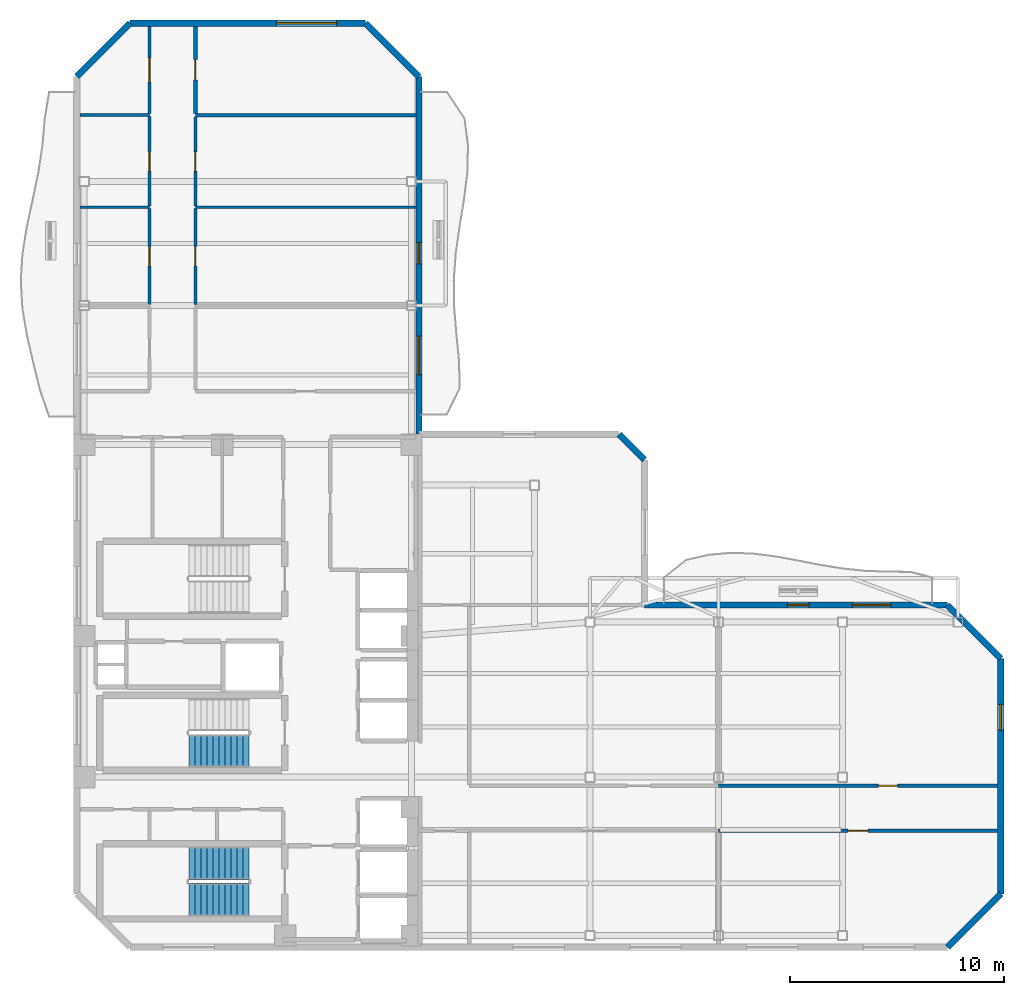
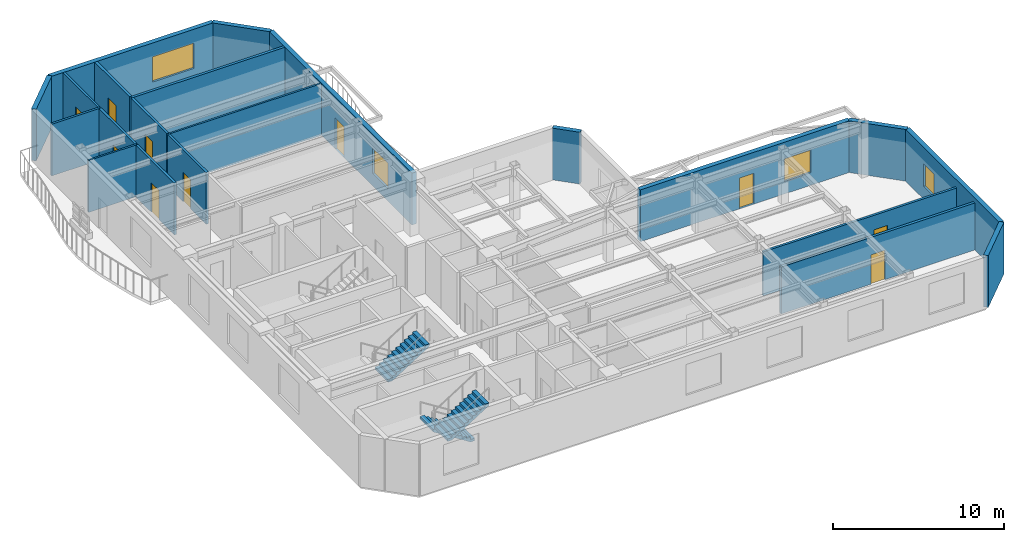
# One storey, part 5 of 8: 21 walls, 10 doors, 4 windows, 3 stair flights, 14 openings, 2 elements without a shape of their own.
"""IFC4 building model written with IfcOpenShell, lengths in metres."""

import ifcopenshell
import ifcopenshell.guid

model = None  # the IFC model being written
_history = None  # IfcOwnerHistory: only IFC2X3 demands one
_inside = {}  # id of a spatial element -> (the spatial element, [elements in it])
_under = {}  # id of a project, library or spatial element -> (it, [spatial elements below it])
_declared = {}  # id of a project -> (the project, [libraries it declares])
_typed = {}  # id of a type object -> (the type object, [elements of that type])
_made_of = {}  # id of a material, layer set ... -> (it, [elements and type objects made of it])


def new_model(schema):
    """Start an empty IFC model of exactly this schema.

    Asked for "IFC4X3", IfcOpenShell would pick the latest addendum, in which some entities
    have other attributes; the version numbers below select the first issue.
    IFC2X3 requires an IfcOwnerHistory on every rooted entity: one is made here for all.
    """
    global model, _history
    if schema == "IFC4X3":
        model = ifcopenshell.file(schema_version=(4, 3, 0, 0))
    else:
        model = ifcopenshell.file(schema=schema)
    _inside.clear()
    _under.clear()
    _declared.clear()
    _typed.clear()
    _made_of.clear()
    _history = None
    if model.schema == "IFC2X3":
        org = make("IfcOrganization", Name="unknown")
        user = make(
            "IfcPersonAndOrganization",
            ThePerson=make("IfcPerson", FamilyName="unknown"),
            TheOrganization=org,
        )
        app = make(
            "IfcApplication",
            ApplicationDeveloper=org,
            Version="unknown",
            ApplicationFullName="unknown",
            ApplicationIdentifier="unknown",
        )
        _history = make(
            "IfcOwnerHistory",
            OwningUser=user,
            OwningApplication=app,
            ChangeAction="ADDED",
            CreationDate=0,
        )
    return model


def make(cls, **values):
    """One entity of the class cls with the attributes given. An attribute that is None is left unset."""
    return model.create_entity(
        cls, **{name: value for name, value in values.items() if value is not None}
    )


def rooted(cls, **values):
    """An entity with a GlobalId (a new one), such as an element, a storey or a relation."""
    return make(cls, GlobalId=ifcopenshell.guid.new(), OwnerHistory=_history, **values)


def si_unit(unit_type, name, prefix=None):
    """IfcSIUnit, for example si_unit("LENGTHUNIT", "METRE", prefix="MILLI")."""
    return make("IfcSIUnit", UnitType=unit_type, Prefix=prefix, Name=name)


def assignment(units):
    """IfcUnitAssignment: the units of a project."""
    return None if units is None else make("IfcUnitAssignment", Units=units)


def point(xyz):
    """IfcCartesianPoint."""
    return None if xyz is None else make("IfcCartesianPoint", Coordinates=xyz)


def direction(xyz):
    """IfcDirection."""
    return None if xyz is None else make("IfcDirection", DirectionRatios=xyz)


def frame(location, z_axis=None, x_axis=None):
    """IfcAxis2Placement3D, a coordinate frame: its origin and axes. An axis left out is left unset."""
    return make(
        "IfcAxis2Placement3D",
        Location=point(location),
        Axis=direction(z_axis),
        RefDirection=direction(x_axis),
    )


def frame_2d(location, x_axis=None):
    """IfcAxis2Placement2D, a coordinate frame in the plane: its origin and x axis."""
    return make(
        "IfcAxis2Placement2D", Location=point(location), RefDirection=direction(x_axis)
    )


def origin():
    """The frame at (0, 0, 0) with its axes left unset."""
    return frame((0.0, 0.0, 0.0))


def place(relative_to, where):
    """IfcLocalPlacement: puts the frame where relative to a parent placement (None: the world)."""
    return make(
        "IfcLocalPlacement", PlacementRelTo=relative_to, RelativePlacement=where
    )


def context(
    kind, dimensions, precision=None, world=None, true_north=None, identifier=None
):
    """IfcGeometricRepresentationContext, for example the 3D "Model" context."""
    return make(
        "IfcGeometricRepresentationContext",
        ContextIdentifier=identifier,
        ContextType=kind,
        CoordinateSpaceDimension=dimensions,
        Precision=precision,
        WorldCoordinateSystem=world,
        TrueNorth=true_north,
    )


def subcontext(parent, identifier, kind, view, scale=None):
    """IfcGeometricRepresentationSubContext, for example "Body" below "Model"."""
    return make(
        "IfcGeometricRepresentationSubContext",
        ContextIdentifier=identifier,
        ContextType=kind,
        ParentContext=parent,
        TargetScale=scale,
        TargetView=view,
    )


def project(units=None, contexts=None):
    """IfcProject with its units and contexts."""
    return rooted(
        "IfcProject",
        Name="project",
        RepresentationContexts=contexts,
        UnitsInContext=assignment(units),
    )


def spatial(cls, under=None, at=None, **own):
    """A site, building, storey or space (cls), placed at a placement, below another one or the project."""
    s = rooted(cls, ObjectPlacement=at, **own)
    if under is not None:
        _under.setdefault(under.id(), (under, []))[1].append(s)
    return s


def polyline(points):
    """IfcPolyline through the points."""
    return make("IfcPolyline", Points=[point(p) for p in points])


def profile(cls, at=None, kind="AREA", **sizes):
    """A parametric profile (cls). Its sizes go by their IFC names, for example OverallWidth=200.0."""
    return make(cls, ProfileType=kind, Position=at, **sizes)


def rectangle(**sizes):
    """IfcRectangleProfileDef."""
    return profile("IfcRectangleProfileDef", **sizes)


def outline(outer, holes=None, kind="AREA"):
    """IfcArbitraryClosedProfileDef: a profile drawn as a closed curve; with holes, ...WithVoids."""
    if holes is None:
        return make("IfcArbitraryClosedProfileDef", ProfileType=kind, OuterCurve=outer)
    return make(
        "IfcArbitraryProfileDefWithVoids",
        ProfileType=kind,
        OuterCurve=outer,
        InnerCurves=holes,
    )


def extrude(swept, where, along, depth):
    """IfcExtrudedAreaSolid: the profile swept, set in the frame where, extruded along a direction by depth."""
    return make(
        "IfcExtrudedAreaSolid",
        SweptArea=swept,
        Position=where,
        ExtrudedDirection=direction(along),
        Depth=depth,
    )


def shape(context_of_items, identifier, shape_type, items):
    """IfcShapeRepresentation: the items that make up one representation, for example the "Body"."""
    return make(
        "IfcShapeRepresentation",
        ContextOfItems=context_of_items,
        RepresentationIdentifier=identifier,
        RepresentationType=shape_type,
        Items=items,
    )


def material(Name=None, Category=None):
    """IfcMaterial."""
    return make("IfcMaterial", Name=Name, Category=Category)


def layer(
    of_material, thickness, ventilated=None, Name=None, Category=None, Priority=None
):
    """IfcMaterialLayer: one layer of a wall or slab, of a material (None: an air gap)."""
    return make(
        "IfcMaterialLayer",
        Material=of_material,
        LayerThickness=thickness,
        IsVentilated=ventilated,
        Name=Name,
        Category=Category,
        Priority=Priority,
    )


def layer_set(layers, Name=None):
    """IfcMaterialLayerSet."""
    return make("IfcMaterialLayerSet", MaterialLayers=layers, LayerSetName=Name)


def made_of(thing, what):
    """Note that an element or type object is made of a material, layer set ...; save() writes the relation."""
    if what is not None:
        _made_of.setdefault(what.id(), (what, []))[1].append(thing)
    return thing


def type_object(cls, material=None, **own):
    """A type object (cls), such as IfcWallType, which elements share."""
    return made_of(rooted(cls, **own), material)


def element(
    cls,
    number,
    at=None,
    inside=None,
    cuts=None,
    type_object=None,
    material=None,
    context=None,
    identifier="Body",
    shape_type=None,
    held_by="IfcProductDefinitionShape",
    body=None,
    shapes=None,
    **own,
):
    """One element of the class cls, such as IfcWall. Its Tag is "e" and its number.

    at: its placement. inside: the storey or other place that contains it. cuts: it is an
    opening in that element (IfcRelVoidsElement). A single representation is given by context,
    identifier, shape_type and body (its items); several are given by shapes. held_by: the class
    of the entity that holds the representations. save() writes the other relations.
    """
    e = rooted(cls, Tag="e%d" % number, ObjectPlacement=at, **own)
    if body is not None:
        shapes = [shape(context, identifier, shape_type, body)]
    if shapes is not None:
        e.Representation = make(held_by, Representations=shapes)
    if inside is not None:
        _inside.setdefault(inside.id(), (inside, []))[1].append(e)
    if cuts is not None:
        rooted(
            "IfcRelVoidsElement", RelatingBuildingElement=cuts, RelatedOpeningElement=e
        )
    if type_object is not None:
        _typed.setdefault(type_object.id(), (type_object, []))[1].append(e)
    return made_of(e, material)


def fill(opening, filler):
    """IfcRelFillsElement: the door or window that sits in an opening."""
    return rooted(
        "IfcRelFillsElement",
        RelatingOpeningElement=opening,
        RelatedBuildingElement=filler,
    )


def aggregate(whole, parts):
    """IfcRelAggregates: a whole, such as a stair, and the parts it consists of."""
    return rooted("IfcRelAggregates", RelatingObject=whole, RelatedObjects=parts)


def save(model, path):
    """Write the relations noted so far, then the file.

    IfcRelAggregates (storeys below a building ...), IfcRelContainedInSpatialStructure (elements
    in a storey), IfcRelDefinesByType, IfcRelAssociatesMaterial and IfcRelDeclares: one each for
    every whole, place, type object, material and project.
    """
    for whole, parts in _under.values():
        aggregate(whole, parts)
    for where, things in _inside.values():
        rooted(
            "IfcRelContainedInSpatialStructure",
            RelatedElements=things,
            RelatingStructure=where,
        )
    for kind, things in _typed.values():
        rooted("IfcRelDefinesByType", RelatedObjects=things, RelatingType=kind)
    for what, things in _made_of.values():
        rooted("IfcRelAssociatesMaterial", RelatedObjects=things, RelatingMaterial=what)
    for by, libraries in _declared.values():
        rooted("IfcRelDeclares", RelatingContext=by, RelatedDefinitions=libraries)
    model.write(path)


model = new_model("IFC4")

# Units and contexts
model_context = context("Model", 3, precision=1e-05, world=origin(), true_north=direction((0.0, 1.0)))
body_context = subcontext(model_context, "Body", "Model", "MODEL_VIEW")
ifc_project = project(units=[si_unit("LENGTHUNIT", "METRE"), si_unit("AREAUNIT", "SQUARE_METRE"), si_unit("VOLUMEUNIT", "CUBIC_METRE"), si_unit("PLANEANGLEUNIT", "RADIAN"), si_unit("MASSUNIT", "GRAM", prefix="KILO")], contexts=[model_context])

# Site, building, storey
site_placement = place(None, origin())
site = spatial("IfcSite", under=ifc_project, at=site_placement, CompositionType="ELEMENT")
building_placement = place(site_placement, origin())
building = spatial("IfcBuilding", under=site, at=building_placement, Name="Mawjaban Terraces University", CompositionType="ELEMENT")
storey_placement = place(building_placement, frame((0.0, 0.0, 191.39990234375)))
storey = spatial("IfcBuildingStorey", under=building, at=storey_placement, Name="L46", CompositionType="ELEMENT", Elevation=191.39990234375)

# Wall
ifc_material_1 = material(Name="Acoustic masonry blockwork", Category="masonry")
ifc_layer_1 = layer(ifc_material_1, 0.179931640625)
ifc_layer_set_1 = layer_set([ifc_layer_1], Name="Acoustic masonry blockwork")
wall_type_1 = type_object("IfcWallType", Name="AcousticStudioWall_180", PredefinedType="PARTITIONING", material=ifc_layer_set_1)
wall_1_placement = place(storey_placement, frame((37.85009765625, 38.89990234375, 0.0), z_axis=(0.0, 0.0, 1.0), x_axis=(-1.0, 0.0, 0.0)))
element("IfcWall", 1, at=wall_1_placement, inside=storey, type_object=wall_type_1, Name="L46 Student Tea Pantry 11 Partition 20", PredefinedType="PARTITIONING", context=body_context, shape_type="SweptSolid", body=[
    extrude(rectangle(XDim=10.300048828125, YDim=0.179931640625, at=frame_2d((5.14990234375, 0.0))), origin(), (0.0, 0.0, 1.0), 3.690185546875),
])

# Wall, opening, door
wall_2_placement = place(storey_placement, frame((52.0, 5.449951171875, 0.0), z_axis=(0.0, 0.0, 1.0), x_axis=(1.0, 0.0, 0.0)))
wall_2 = element("IfcWall", 2, at=wall_2_placement, inside=storey, type_object=wall_type_1, Name="L46 South Shifted Academic Corridor Partition 25", PredefinedType="PARTITIONING", context=body_context, shape_type="SweptSolid", body=[
    extrude(rectangle(XDim=13.054931640625, YDim=0.179931640625, at=frame_2d((6.52734375, 0.0))), origin(), (0.0, 0.0, 1.0), 3.343017578125),
])
opening_1_placement = place(wall_2_placement, frame((6.052978515625, 0.0, 0.0)))
opening_1 = element("IfcOpeningElement", 3, at=opening_1_placement, cuts=wall_2, Name="Opening ID-095", PredefinedType="OPENING", context=body_context, shape_type="SweptSolid", body=[
    extrude(rectangle(XDim=0.949951171875, YDim=2.10009765625, at=frame_2d((0.47509765625, 1.050048828125))), frame((0.0, 0.099853515625, 0.0), z_axis=(0.0, -1.0, 0.0), x_axis=(1.0, 0.0, 0.0)), (0.0, 0.0, 1.0), 0.199951171875),
])
ifc_material_2 = material(Name="Powder-coated steel frame and solid acoustic timber leaf", Category="steel")
door_type_1 = type_object("IfcDoorType", Name="StudioDoor_950x2100", OperationType="NOTDEFINED", PredefinedType="DOOR", material=ifc_material_2)
door_1_placement = place(opening_1_placement, origin())
door_1 = element("IfcDoor", 4, at=door_1_placement, inside=storey, type_object=door_type_1, Name="L46 Design Studio 4 Door", OperationType="SINGLE_SWING_LEFT", OverallHeight=2.10009765625, OverallWidth=0.949951171875, PredefinedType="DOOR", context=body_context, shape_type="SweptSolid", body=[
    extrude(rectangle(XDim=0.949951171875, YDim=2.10009765625, at=frame_2d((0.47509765625, 1.050048828125))), frame((0.0, 0.02490234375, 0.0), z_axis=(0.0, -1.0, 0.0), x_axis=(1.0, 0.0, 0.0)), (0.0, 0.0, 1.0), 0.050048828125),
])
fill(opening_1, door_1)

wall_3_placement = place(storey_placement, frame((27.550048828125, 38.985107421875, 0.0), z_axis=(0.0, 0.0, 1.0), x_axis=(0.0, 1.0, 0.0)))
wall_3 = element("IfcWall", 5, at=wall_3_placement, inside=storey, type_object=wall_type_1, Name="L46 West Shifted Academic Corridor Partition 38", PredefinedType="PARTITIONING", context=body_context, shape_type="SweptSolid", body=[
    extrude(rectangle(XDim=4.06982421875, YDim=0.179931640625, at=frame_2d((2.034912109375, 0.0))), origin(), (0.0, 0.0, 1.0), 3.690185546875),
])
opening_2_placement = place(wall_3_placement, frame((1.56005859375, 0.0, 0.0)))
opening_2 = element("IfcOpeningElement", 6, at=opening_2_placement, cuts=wall_3, Name="Opening ID-095", PredefinedType="OPENING", context=body_context, shape_type="SweptSolid", body=[
    extrude(rectangle(XDim=0.949951171875, YDim=2.10009765625, at=frame_2d((0.47509765625, 1.050048828125))), frame((0.0, 0.099853515625, 0.0), z_axis=(0.0, -1.0, 0.0), x_axis=(1.0, 0.0, 0.0)), (0.0, 0.0, 1.0), 0.199951171875),
])
door_2_placement = place(opening_2_placement, origin())
door_2 = element("IfcDoor", 7, at=door_2_placement, inside=storey, type_object=door_type_1, Name="L46 Design Studio 13 Door", OperationType="SINGLE_SWING_RIGHT", OverallHeight=2.10009765625, OverallWidth=0.949951171875, PredefinedType="DOOR", context=body_context, shape_type="SweptSolid", body=[
    extrude(rectangle(XDim=0.949951171875, YDim=2.10009765625, at=frame_2d((0.47509765625, 1.050048828125))), frame((0.0, 0.02490234375, 0.0), z_axis=(0.0, -1.0, 0.0), x_axis=(1.0, 0.0, 0.0)), (0.0, 0.0, 1.0), 0.050048828125),
])
fill(opening_2, door_2)

ifc_material_3 = material(Name="Fire-rated gypsum board on steel stud", Category="steel")
ifc_layer_2 = layer(ifc_material_3, 0.159912109375)
ifc_layer_set_2 = layer_set([ifc_layer_2], Name="Fire-rated gypsum board on steel stud")
wall_type_2 = type_object("IfcWallType", Name="CorridorPartition_160", PredefinedType="PARTITIONING", material=ifc_layer_set_2)
wall_4_placement = place(storey_placement, frame((65.054931640625, 7.550048828125, 0.0), z_axis=(0.0, 0.0, 1.0), x_axis=(-1.0, 0.0, 0.0)))
wall_4 = element("IfcWall", 8, at=wall_4_placement, inside=storey, type_object=wall_type_2, Name="L46 South Shifted Academic Corridor Partition 27", PredefinedType="PARTITIONING", context=body_context, shape_type="SweptSolid", body=[
    extrude(rectangle(XDim=13.054931640625, YDim=0.159912109375, at=frame_2d((6.52734375, 0.0))), origin(), (0.0, 0.0, 1.0), 3.13916015625),
])
opening_3_placement = place(wall_4_placement, frame((4.677978515625, 0.0, 0.0)))
opening_3 = element("IfcOpeningElement", 9, at=opening_3_placement, cuts=wall_4, Name="Opening ID-090", PredefinedType="OPENING", context=body_context, shape_type="SweptSolid", body=[
    extrude(rectangle(XDim=0.89990234375, YDim=2.10009765625, at=frame_2d((0.449951171875, 1.050048828125))), frame((0.0, 0.08984375, 0.0), z_axis=(0.0, -1.0, 0.0), x_axis=(1.0, 0.0, 0.0)), (0.0, 0.0, 1.0), 0.179931640625),
])
door_type_2 = type_object("IfcDoorType", Name="OfficeDoor_900x2100", OperationType="NOTDEFINED", PredefinedType="DOOR", material=ifc_material_2)
door_3_placement = place(opening_3_placement, origin())
door_3 = element("IfcDoor", 10, at=door_3_placement, inside=storey, type_object=door_type_2, Name="L46 Faculty Office 5 Door", OperationType="SINGLE_SWING_RIGHT", OverallHeight=2.10009765625, OverallWidth=0.89990234375, PredefinedType="DOOR", context=body_context, shape_type="SweptSolid", body=[
    extrude(rectangle(XDim=0.89990234375, YDim=2.10009765625, at=frame_2d((0.449951171875, 1.050048828125))), frame((0.0, 0.02490234375, 0.0), z_axis=(0.0, -1.0, 0.0), x_axis=(1.0, 0.0, 0.0)), (0.0, 0.0, 1.0), 0.050048828125),
])
fill(opening_3, door_3)

wall_5_placement = place(storey_placement, frame((25.39990234375, 34.54296875, 0.0), z_axis=(0.0, 0.0, 1.0), x_axis=(0.0, -1.0, 0.0)))
wall_5 = element("IfcWall", 11, at=wall_5_placement, inside=storey, type_object=wall_type_2, Name="L46 West Shifted Academic Corridor Partition 31", PredefinedType="PARTITIONING", context=body_context, shape_type="SweptSolid", body=[
    extrude(rectangle(XDim=4.48486328125, YDim=0.159912109375, at=frame_2d((2.242431640625, 0.0))), origin(), (0.0, 0.0, 1.0), 3.690185546875),
])
opening_4_placement = place(wall_5_placement, frame((1.7919921875, 0.0, 0.0)))
opening_4 = element("IfcOpeningElement", 12, at=opening_4_placement, cuts=wall_5, Name="Opening ID-090", PredefinedType="OPENING", context=body_context, shape_type="SweptSolid", body=[
    extrude(rectangle(XDim=0.89990234375, YDim=2.10009765625, at=frame_2d((0.449951171875, 1.050048828125))), frame((0.0, 0.08984375, 0.0), z_axis=(0.0, -1.0, 0.0), x_axis=(1.0, 0.0, 0.0)), (0.0, 0.0, 1.0), 0.179931640625),
])
door_4_placement = place(opening_4_placement, origin())
door_4 = element("IfcDoor", 13, at=door_4_placement, inside=storey, type_object=door_type_2, Name="L46 Faculty Office 8 Door", OperationType="SINGLE_SWING_LEFT", OverallHeight=2.10009765625, OverallWidth=0.89990234375, PredefinedType="DOOR", context=body_context, shape_type="SweptSolid", body=[
    extrude(rectangle(XDim=0.89990234375, YDim=2.10009765625, at=frame_2d((0.449951171875, 1.050048828125))), frame((0.0, 0.02490234375, 0.0), z_axis=(0.0, -1.0, 0.0), x_axis=(1.0, 0.0, 0.0)), (0.0, 0.0, 1.0), 0.050048828125),
])
fill(opening_4, door_4)

wall_6_placement = place(storey_placement, frame((25.39990234375, 38.83203125, 0.0), z_axis=(0.0, 0.0, 1.0), x_axis=(0.0, -1.0, 0.0)))
wall_6 = element("IfcWall", 14, at=wall_6_placement, inside=storey, type_object=wall_type_2, Name="L46 West Shifted Academic Corridor Partition 32", PredefinedType="PARTITIONING", context=body_context, shape_type="SweptSolid", body=[
    extrude(rectangle(XDim=4.175048828125, YDim=0.159912109375, at=frame_2d((2.08740234375, 0.0))), origin(), (0.0, 0.0, 1.0), 3.690185546875),
])
opening_5_placement = place(wall_6_placement, frame((1.637939453125, 0.0, 0.0)))
opening_5 = element("IfcOpeningElement", 15, at=opening_5_placement, cuts=wall_6, Name="Opening ID-090", PredefinedType="OPENING", context=body_context, shape_type="SweptSolid", body=[
    extrude(rectangle(XDim=0.89990234375, YDim=2.10009765625, at=frame_2d((0.449951171875, 1.050048828125))), frame((0.0, 0.08984375, 0.0), z_axis=(0.0, -1.0, 0.0), x_axis=(1.0, 0.0, 0.0)), (0.0, 0.0, 1.0), 0.179931640625),
])
door_5_placement = place(opening_5_placement, origin())
door_5 = element("IfcDoor", 16, at=door_5_placement, inside=storey, type_object=door_type_2, Name="L46 Faculty Office 10 Door", OperationType="SINGLE_SWING_LEFT", OverallHeight=2.10009765625, OverallWidth=0.89990234375, PredefinedType="DOOR", context=body_context, shape_type="SweptSolid", body=[
    extrude(rectangle(XDim=0.89990234375, YDim=2.10009765625, at=frame_2d((0.449951171875, 1.050048828125))), frame((0.0, 0.02490234375, 0.0), z_axis=(0.0, -1.0, 0.0), x_axis=(1.0, 0.0, 0.0)), (0.0, 0.0, 1.0), 0.050048828125),
])
fill(opening_5, door_5)

wall_7_placement = place(storey_placement, frame((27.550048828125, 30.05810546875, 0.0), z_axis=(0.0, 0.0, 1.0), x_axis=(0.0, 1.0, 0.0)))
wall_7 = element("IfcWall", 17, at=wall_7_placement, inside=storey, type_object=wall_type_2, Name="L46 West Shifted Academic Corridor Partition 36", PredefinedType="PARTITIONING", context=body_context, shape_type="SweptSolid", body=[
    extrude(rectangle(XDim=4.48486328125, YDim=0.159912109375, at=frame_2d((2.242431640625, 0.0))), origin(), (0.0, 0.0, 1.0), 3.690185546875),
])
opening_6_placement = place(wall_7_placement, frame((1.7919921875, 0.0, 0.0)))
opening_6 = element("IfcOpeningElement", 18, at=opening_6_placement, cuts=wall_7, Name="Opening ID-090", PredefinedType="OPENING", context=body_context, shape_type="SweptSolid", body=[
    extrude(rectangle(XDim=0.89990234375, YDim=2.10009765625, at=frame_2d((0.449951171875, 1.050048828125))), frame((0.0, 0.08984375, 0.0), z_axis=(0.0, -1.0, 0.0), x_axis=(1.0, 0.0, 0.0)), (0.0, 0.0, 1.0), 0.179931640625),
])
door_6_placement = place(opening_6_placement, origin())
door_6 = element("IfcDoor", 19, at=door_6_placement, inside=storey, type_object=door_type_2, Name="L46 Departmental Office 9 Door", OperationType="SINGLE_SWING_RIGHT", OverallHeight=2.10009765625, OverallWidth=0.89990234375, PredefinedType="DOOR", context=body_context, shape_type="SweptSolid", body=[
    extrude(rectangle(XDim=0.89990234375, YDim=2.10009765625, at=frame_2d((0.449951171875, 1.050048828125))), frame((0.0, 0.02490234375, 0.0), z_axis=(0.0, -1.0, 0.0), x_axis=(1.0, 0.0, 0.0)), (0.0, 0.0, 1.0), 0.050048828125),
])
fill(opening_6, door_6)

wall_8_placement = place(storey_placement, frame((27.550048828125, 34.656982421875, 0.0), z_axis=(0.0, 0.0, 1.0), x_axis=(0.0, 1.0, 0.0)))
wall_8 = element("IfcWall", 20, at=wall_8_placement, inside=storey, type_object=wall_type_2, Name="L46 West Shifted Academic Corridor Partition 37", PredefinedType="PARTITIONING", context=body_context, shape_type="SweptSolid", body=[
    extrude(rectangle(XDim=4.157958984375, YDim=0.159912109375, at=frame_2d((2.0791015625, 0.0))), origin(), (0.0, 0.0, 1.0), 3.690185546875),
])
opening_7_placement = place(wall_8_placement, frame((1.62890625, 0.0, 0.0)))
opening_7 = element("IfcOpeningElement", 21, at=opening_7_placement, cuts=wall_8, Name="Opening ID-090", PredefinedType="OPENING", context=body_context, shape_type="SweptSolid", body=[
    extrude(rectangle(XDim=0.89990234375, YDim=2.10009765625, at=frame_2d((0.449951171875, 1.050048828125))), frame((0.0, 0.08984375, 0.0), z_axis=(0.0, -1.0, 0.0), x_axis=(1.0, 0.0, 0.0)), (0.0, 0.0, 1.0), 0.179931640625),
])
door_7_placement = place(opening_7_placement, origin())
door_7 = element("IfcDoor", 22, at=door_7_placement, inside=storey, type_object=door_type_2, Name="L46 Student Tea Pantry 11 Door", OperationType="SINGLE_SWING_RIGHT", OverallHeight=2.10009765625, OverallWidth=0.89990234375, PredefinedType="DOOR", context=body_context, shape_type="SweptSolid", body=[
    extrude(rectangle(XDim=0.89990234375, YDim=2.10009765625, at=frame_2d((0.449951171875, 1.050048828125))), frame((0.0, 0.02490234375, 0.0), z_axis=(0.0, -1.0, 0.0), x_axis=(1.0, 0.0, 0.0)), (0.0, 0.0, 1.0), 0.050048828125),
])
fill(opening_7, door_7)

# Wall
ifc_material_4 = material(Name="Insulated terracotta rainscreen on concrete backup C40/50", Category="masonry")
ifc_layer_3 = layer(ifc_material_4, 0.300048828125)
ifc_layer_set_3 = layer_set([ifc_layer_3], Name="Insulated terracotta rainscreen on concrete backup C40/50")
wall_type_3 = type_object("IfcWallType", Name="ExtTerracottaWall_300", PredefinedType="SOLIDWALL", material=ifc_layer_set_3)
wall_9_placement = place(storey_placement, frame((62.699951171875, 0.0, 0.0), z_axis=(0.0, 0.0, 1.0), x_axis=(0.707106781187, 0.707106781187, 0.0)))
element("IfcWall", 23, at=wall_9_placement, inside=storey, type_object=wall_type_3, Name="L46 Exterior Terracotta Wall 2", PredefinedType="SOLIDWALL", context=body_context, shape_type="SweptSolid", body=[
    extrude(rectangle(XDim=3.53564453125, YDim=0.300048828125, at=frame_2d((1.767822265625, 0.0))), origin(), (0.0, 0.0, 1.0), 3.690185546875),
])

# Wall, opening, window
wall_10_placement = place(storey_placement, frame((65.199951171875, 2.5, 0.0), z_axis=(0.0, 0.0, 1.0), x_axis=(0.0, 1.0, 0.0)))
wall_10 = element("IfcWall", 24, at=wall_10_placement, inside=storey, type_object=wall_type_3, Name="L46 Exterior Terracotta Wall 3", PredefinedType="SOLIDWALL", context=body_context, shape_type="SweptSolid", body=[
    extrude(rectangle(XDim=11.0, YDim=0.300048828125, at=frame_2d((5.5, 0.0))), origin(), (0.0, 0.0, 1.0), 3.690185546875),
])
opening_8_placement = place(wall_10_placement, frame((7.64990234375, 0.0, 0.89990234375)))
opening_8 = element("IfcOpeningElement", 25, at=opening_8_placement, cuts=wall_10, Name="Opening W-01", PredefinedType="OPENING", context=body_context, shape_type="SweptSolid", body=[
    extrude(rectangle(XDim=1.199951171875, YDim=1.60009765625, at=frame_2d((0.60009765625, 0.800048828125))), frame((0.0, 0.159912109375, 0.0), z_axis=(0.0, -1.0, 0.0), x_axis=(1.0, 0.0, 0.0)), (0.0, 0.0, 1.0), 0.320068359375),
])
ifc_material_5 = material(Name="Low-E solar-control double glazing in thermally broken aluminium frame", Category="aluminium")
window_type_1 = type_object("IfcWindowType", Name="Win_1200x1600", PartitioningType="SINGLE_PANEL", PredefinedType="WINDOW", material=ifc_material_5)
window_1_placement = place(opening_8_placement, origin())
window_1 = element("IfcWindow", 26, at=window_1_placement, inside=storey, type_object=window_type_1, Name="L46 Facade Window 3.2", OverallHeight=1.60009765625, OverallWidth=1.199951171875, PartitioningType="SINGLE_PANEL", PredefinedType="WINDOW", context=body_context, shape_type="SweptSolid", body=[
    extrude(rectangle(XDim=1.199951171875, YDim=1.60009765625, at=frame_2d((0.60009765625, 0.800048828125))), frame((0.0, 0.030029296875, 0.0), z_axis=(0.0, -1.0, 0.0), x_axis=(1.0, 0.0, 0.0)), (0.0, 0.0, 1.0), 0.06005859375),
])
fill(opening_8, window_1)

# Wall
wall_11_placement = place(storey_placement, frame((65.199951171875, 13.5, 0.0), z_axis=(0.0, 0.0, 1.0), x_axis=(-0.707106781187, 0.707106781187, 0.0)))
element("IfcWall", 27, at=wall_11_placement, inside=storey, type_object=wall_type_3, Name="L46 Exterior Terracotta Wall 4", PredefinedType="SOLIDWALL", context=body_context, shape_type="SweptSolid", body=[
    extrude(rectangle(XDim=3.53564453125, YDim=0.300048828125, at=frame_2d((1.767822265625, 0.0))), origin(), (0.0, 0.0, 1.0), 3.690185546875),
])

# Wall, openings, door, window
wall_12_placement = place(storey_placement, frame((62.699951171875, 16.0, 0.0), z_axis=(0.0, 0.0, 1.0), x_axis=(-1.0, 0.0, 0.0)))
wall_12 = element("IfcWall", 28, at=wall_12_placement, inside=storey, type_object=wall_type_3, Name="L46 Exterior Terracotta Wall 5", PredefinedType="SOLIDWALL", context=body_context, shape_type="SweptSolid", body=[
    extrude(rectangle(XDim=14.14990234375, YDim=0.300048828125, at=frame_2d((7.074951171875, 0.0))), origin(), (0.0, 0.0, 1.0), 3.690185546875),
])
opening_9_placement = place(wall_12_placement, frame((6.47509765625, 0.0, 0.0)))
opening_9 = element("IfcOpeningElement", 29, at=opening_9_placement, cuts=wall_12, Name="Opening BD-100", PredefinedType="OPENING", context=body_context, shape_type="SweptSolid", body=[
    extrude(rectangle(XDim=1.0, YDim=2.199951171875, at=frame_2d((0.5, 1.10009765625))), frame((0.0, 0.159912109375, 0.0), z_axis=(0.0, -1.0, 0.0), x_axis=(1.0, 0.0, 0.0)), (0.0, 0.0, 1.0), 0.320068359375),
])
opening_10_placement = place(wall_12_placement, frame((2.637939453125, 0.0, 0.89990234375)))
opening_10 = element("IfcOpeningElement", 30, at=opening_10_placement, cuts=wall_12, Name="Opening W-03", PredefinedType="OPENING", context=body_context, shape_type="SweptSolid", body=[
    extrude(rectangle(XDim=1.800048828125, YDim=1.60009765625, at=frame_2d((0.89990234375, 0.800048828125))), frame((0.0, 0.159912109375, 0.0), z_axis=(0.0, -1.0, 0.0), x_axis=(1.0, 0.0, 0.0)), (0.0, 0.0, 1.0), 0.320068359375),
])
ifc_material_6 = material(Name="Thermally broken anodised aluminium and laminated safety glass", Category="aluminium")
door_type_3 = type_object("IfcDoorType", Name="BalconyGlazedDoor_1000x2200", OperationType="NOTDEFINED", PredefinedType="DOOR", material=ifc_material_6)
door_8_placement = place(opening_9_placement, origin())
door_8 = element("IfcDoor", 31, at=door_8_placement, inside=storey, type_object=door_type_3, Name="L46 Balcony Access Door inner_north", OperationType="SINGLE_SWING_LEFT", OverallHeight=2.199951171875, OverallWidth=1.0, PredefinedType="DOOR", context=body_context, shape_type="SweptSolid", body=[
    extrude(rectangle(XDim=1.0, YDim=2.199951171875, at=frame_2d((0.5, 1.10009765625))), frame((0.0, 0.02490234375, 0.0), z_axis=(0.0, -1.0, 0.0), x_axis=(1.0, 0.0, 0.0)), (0.0, 0.0, 1.0), 0.050048828125),
])
fill(opening_9, door_8)
window_type_2 = type_object("IfcWindowType", Name="Win_1800x1600", PartitioningType="SINGLE_PANEL", PredefinedType="WINDOW", material=ifc_material_5)
window_2_placement = place(opening_10_placement, origin())
window_2 = element("IfcWindow", 32, at=window_2_placement, inside=storey, type_object=window_type_2, Name="L46 Facade Window 5.1", OverallHeight=1.60009765625, OverallWidth=1.800048828125, PartitioningType="SINGLE_PANEL", PredefinedType="WINDOW", context=body_context, shape_type="SweptSolid", body=[
    extrude(rectangle(XDim=1.800048828125, YDim=1.60009765625, at=frame_2d((0.89990234375, 0.800048828125))), frame((0.0, 0.030029296875, 0.0), z_axis=(0.0, -1.0, 0.0), x_axis=(1.0, 0.0, 0.0)), (0.0, 0.0, 1.0), 0.06005859375),
])
fill(opening_10, window_2)

# Wall
wall_13_placement = place(storey_placement, frame((48.550048828125, 22.7880859375, 0.0), z_axis=(0.0, 0.0, 1.0), x_axis=(-0.707106781187, 0.707106781187, 0.0)))
element("IfcWall", 33, at=wall_13_placement, inside=storey, type_object=wall_type_3, Name="L46 Exterior Terracotta Wall 7", PredefinedType="SOLIDWALL", context=body_context, shape_type="SweptSolid", body=[
    extrude(rectangle(XDim=1.697021484375, YDim=0.300048828125, at=frame_2d((0.8486328125, 0.0))), origin(), (0.0, 0.0, 1.0), 3.690185546875),
])

# Wall, openings, door, window
wall_14_placement = place(storey_placement, frame((38.0, 23.988037109375, 0.0), z_axis=(0.0, 0.0, 1.0), x_axis=(0.0, 1.0, 0.0)))
wall_14 = element("IfcWall", 34, at=wall_14_placement, inside=storey, type_object=wall_type_3, Name="L46 Exterior Terracotta Wall 9", PredefinedType="SOLIDWALL", context=body_context, shape_type="SweptSolid", body=[
    extrude(rectangle(XDim=16.7119140625, YDim=0.300048828125, at=frame_2d((8.35595703125, 0.0))), origin(), (0.0, 0.0, 1.0), 3.690185546875),
])
opening_11_placement = place(wall_14_placement, frame((7.9560546875, 0.0, 0.0)))
opening_11 = element("IfcOpeningElement", 35, at=opening_11_placement, cuts=wall_14, Name="Opening BD-100", PredefinedType="OPENING", context=body_context, shape_type="SweptSolid", body=[
    extrude(rectangle(XDim=1.0, YDim=2.199951171875, at=frame_2d((0.5, 1.10009765625))), frame((0.0, 0.159912109375, 0.0), z_axis=(0.0, -1.0, 0.0), x_axis=(1.0, 0.0, 0.0)), (0.0, 0.0, 1.0), 0.320068359375),
])
opening_12_placement = place(wall_14_placement, frame((2.784912109375, 0.0, 0.89990234375)))
opening_12 = element("IfcOpeningElement", 36, at=opening_12_placement, cuts=wall_14, Name="Opening W-07", PredefinedType="OPENING", context=body_context, shape_type="SweptSolid", body=[
    extrude(rectangle(XDim=1.800048828125, YDim=1.800048828125, at=frame_2d((0.89990234375, 0.89990234375))), frame((0.0, 0.159912109375, 0.0), z_axis=(0.0, -1.0, 0.0), x_axis=(1.0, 0.0, 0.0)), (0.0, 0.0, 1.0), 0.320068359375),
])
door_9_placement = place(opening_11_placement, origin())
door_9 = element("IfcDoor", 37, at=door_9_placement, inside=storey, type_object=door_type_3, Name="L46 Balcony Access Door inner_east", OperationType="SINGLE_SWING_LEFT", OverallHeight=2.199951171875, OverallWidth=1.0, PredefinedType="DOOR", context=body_context, shape_type="SweptSolid", body=[
    extrude(rectangle(XDim=1.0, YDim=2.199951171875, at=frame_2d((0.5, 1.10009765625))), frame((0.0, 0.02490234375, 0.0), z_axis=(0.0, -1.0, 0.0), x_axis=(1.0, 0.0, 0.0)), (0.0, 0.0, 1.0), 0.050048828125),
])
fill(opening_11, door_9)
window_type_3 = type_object("IfcWindowType", Name="Win_1800x1800", PartitioningType="SINGLE_PANEL", PredefinedType="WINDOW", material=ifc_material_5)
window_3_placement = place(opening_12_placement, origin())
window_3 = element("IfcWindow", 38, at=window_3_placement, inside=storey, type_object=window_type_3, Name="L46 Facade Window 9.1", OverallHeight=1.800048828125, OverallWidth=1.800048828125, PartitioningType="SINGLE_PANEL", PredefinedType="WINDOW", context=body_context, shape_type="SweptSolid", body=[
    extrude(rectangle(XDim=1.800048828125, YDim=1.800048828125, at=frame_2d((0.89990234375, 0.89990234375))), frame((0.0, 0.030029296875, 0.0), z_axis=(0.0, -1.0, 0.0), x_axis=(1.0, 0.0, 0.0)), (0.0, 0.0, 1.0), 0.06005859375),
])
fill(opening_12, window_3)

# Wall
wall_15_placement = place(storey_placement, frame((38.0, 40.699951171875, 0.0), z_axis=(0.0, 0.0, 1.0), x_axis=(-0.707106781187, 0.707106781187, 0.0)))
element("IfcWall", 39, at=wall_15_placement, inside=storey, type_object=wall_type_3, Name="L46 Exterior Terracotta Wall 10", PredefinedType="SOLIDWALL", context=body_context, shape_type="SweptSolid", body=[
    extrude(rectangle(XDim=3.53564453125, YDim=0.300048828125, at=frame_2d((1.767822265625, 0.0))), origin(), (0.0, 0.0, 1.0), 3.690185546875),
])

# Wall, opening, window
wall_16_placement = place(storey_placement, frame((35.5, 43.199951171875, 0.0), z_axis=(0.0, 0.0, 1.0), x_axis=(-1.0, 0.0, 0.0)))
wall_16 = element("IfcWall", 40, at=wall_16_placement, inside=storey, type_object=wall_type_3, Name="L46 Exterior Terracotta Wall 11", PredefinedType="SOLIDWALL", context=body_context, shape_type="SweptSolid", body=[
    extrude(rectangle(XDim=11.0, YDim=0.300048828125, at=frame_2d((5.5, 0.0))), origin(), (0.0, 0.0, 1.0), 3.690185546875),
])
opening_13_placement = place(wall_16_placement, frame((1.35009765625, 0.0, 0.89990234375)))
opening_13 = element("IfcOpeningElement", 41, at=opening_13_placement, cuts=wall_16, Name="Opening W-09", PredefinedType="OPENING", context=body_context, shape_type="SweptSolid", body=[
    extrude(rectangle(XDim=2.800048828125, YDim=1.800048828125, at=frame_2d((1.39990234375, 0.89990234375))), frame((0.0, 0.159912109375, 0.0), z_axis=(0.0, -1.0, 0.0), x_axis=(1.0, 0.0, 0.0)), (0.0, 0.0, 1.0), 0.320068359375),
])
window_type_4 = type_object("IfcWindowType", Name="Win_2800x1800", PartitioningType="SINGLE_PANEL", PredefinedType="WINDOW", material=ifc_material_5)
window_4_placement = place(opening_13_placement, origin())
window_4 = element("IfcWindow", 42, at=window_4_placement, inside=storey, type_object=window_type_4, Name="L46 Facade Window 11.1", OverallHeight=1.800048828125, OverallWidth=2.800048828125, PartitioningType="SINGLE_PANEL", PredefinedType="WINDOW", context=body_context, shape_type="SweptSolid", body=[
    extrude(rectangle(XDim=2.800048828125, YDim=1.800048828125, at=frame_2d((1.39990234375, 0.89990234375))), frame((0.0, 0.030029296875, 0.0), z_axis=(0.0, -1.0, 0.0), x_axis=(1.0, 0.0, 0.0)), (0.0, 0.0, 1.0), 0.06005859375),
])
fill(opening_13, window_4)

# Walls
wall_17_placement = place(storey_placement, frame((24.5, 43.199951171875, 0.0), z_axis=(0.0, 0.0, 1.0), x_axis=(-0.707106781187, -0.707106781187, 0.0)))
element("IfcWall", 43, at=wall_17_placement, inside=storey, type_object=wall_type_3, Name="L46 Exterior Terracotta Wall 12", PredefinedType="SOLIDWALL", context=body_context, shape_type="SweptSolid", body=[
    extrude(rectangle(XDim=3.53564453125, YDim=0.300048828125, at=frame_2d((1.767822265625, 0.0))), origin(), (0.0, 0.0, 1.0), 3.690185546875),
])
ifc_material_7 = material(Name="Moisture-resistant gypsum board on steel stud", Category="steel")
ifc_layer_4 = layer(ifc_material_7, 0.14501953125)
ifc_layer_set_4 = layer_set([ifc_layer_4], Name="Moisture-resistant gypsum board on steel stud")
wall_type_4 = type_object("IfcWallType", Name="LabPartition_145", PredefinedType="PARTITIONING", material=ifc_layer_set_4)
wall_18_placement = place(storey_placement, frame((25.39990234375, 38.89990234375, 0.0), z_axis=(0.0, 0.0, 1.0), x_axis=(-1.0, 0.0, 0.0)))
element("IfcWall", 44, at=wall_18_placement, inside=storey, type_object=wall_type_4, Name="L46 Faculty Office 10 Partition 8", PredefinedType="PARTITIONING", context=body_context, shape_type="SweptSolid", body=[
    extrude(rectangle(XDim=3.2548828125, YDim=0.14501953125, at=frame_2d((1.62744140625, 0.0))), origin(), (0.0, 0.0, 1.0), 3.690185546875),
])

# Wall, opening, door
wall_19_placement = place(storey_placement, frame((25.39990234375, 43.054931640625, 0.0), z_axis=(0.0, 0.0, 1.0), x_axis=(0.0, -1.0, 0.0)))
wall_19 = element("IfcWall", 45, at=wall_19_placement, inside=storey, type_object=wall_type_4, Name="L46 West Shifted Academic Corridor Partition 33", PredefinedType="PARTITIONING", context=body_context, shape_type="SweptSolid", body=[
    extrude(rectangle(XDim=4.0869140625, YDim=0.14501953125, at=frame_2d((2.04345703125, 0.0))), origin(), (0.0, 0.0, 1.0), 3.690185546875),
])
opening_14_placement = place(wall_19_placement, frame((1.492919921875, 0.0, 0.0)))
opening_14 = element("IfcOpeningElement", 46, at=opening_14_placement, cuts=wall_19, Name="Opening ID-110", PredefinedType="OPENING", context=body_context, shape_type="SweptSolid", body=[
    extrude(rectangle(XDim=1.10009765625, YDim=2.14990234375, at=frame_2d((0.550048828125, 1.074951171875))), frame((0.0, 0.08251953125, 0.0), z_axis=(0.0, -1.0, 0.0), x_axis=(1.0, 0.0, 0.0)), (0.0, 0.0, 1.0), 0.1650390625),
])
door_type_4 = type_object("IfcDoorType", Name="LabDoor_1100x2150", OperationType="NOTDEFINED", PredefinedType="DOOR", material=ifc_material_2)
door_10_placement = place(opening_14_placement, origin())
door_10 = element("IfcDoor", 47, at=door_10_placement, inside=storey, type_object=door_type_4, Name="L46 Teaching Laboratory 12 Door", OperationType="SINGLE_SWING_LEFT", OverallHeight=2.14990234375, OverallWidth=1.10009765625, PredefinedType="DOOR", context=body_context, shape_type="SweptSolid", body=[
    extrude(rectangle(XDim=1.10009765625, YDim=2.14990234375, at=frame_2d((0.550048828125, 1.074951171875))), frame((0.0, 0.02490234375, 0.0), z_axis=(0.0, -1.0, 0.0), x_axis=(1.0, 0.0, 0.0)), (0.0, 0.0, 1.0), 0.050048828125),
])
fill(opening_14, door_10)

# Walls
ifc_material_8 = material(Name="Gypsum plasterboard on steel stud", Category="steel")
ifc_layer_5 = layer(ifc_material_8, 0.125)
ifc_layer_set_5 = layer_set([ifc_layer_5], Name="Gypsum plasterboard on steel stud")
wall_type_5 = type_object("IfcWallType", Name="OfficePartition_125", PredefinedType="PARTITIONING", material=ifc_layer_set_5)
wall_20_placement = place(storey_placement, frame((25.39990234375, 34.60009765625, 0.0), z_axis=(0.0, 0.0, 1.0), x_axis=(-1.0, 0.0, 0.0)))
element("IfcWall", 48, at=wall_20_placement, inside=storey, type_object=wall_type_5, Name="L46 Faculty Office 8 Partition 7", PredefinedType="PARTITIONING", context=body_context, shape_type="SweptSolid", body=[
    extrude(rectangle(XDim=3.2548828125, YDim=0.125, at=frame_2d((1.62744140625, 0.0))), origin(), (0.0, 0.0, 1.0), 3.690185546875),
])
wall_21_placement = place(storey_placement, frame((37.85009765625, 34.60009765625, 0.0), z_axis=(0.0, 0.0, 1.0), x_axis=(-1.0, 0.0, 0.0)))
element("IfcWall", 49, at=wall_21_placement, inside=storey, type_object=wall_type_5, Name="L46 Departmental Office 9 Partition 19", PredefinedType="PARTITIONING", context=body_context, shape_type="SweptSolid", body=[
    extrude(rectangle(XDim=10.300048828125, YDim=0.125, at=frame_2d((5.14990234375, 0.0))), origin(), (0.0, 0.0, 1.0), 3.690185546875),
])

# Stair, stair flights
ifc_material_9 = material(Name="Concrete C40/50", Category="concrete")
stair_type = type_object("IfcStairType", Name="Stair_Core1550_H39", PredefinedType="HALF_TURN_STAIR", material=ifc_material_9)
stair_1_placement = place(storey_placement, origin())
stair_1 = element("IfcStair", 50, at=stair_1_placement, inside=storey, type_object=stair_type, Name="L46 Core Exit Stair 1", PredefinedType="HALF_TURN_STAIR")
stair_flight_type = type_object("IfcStairFlightType", Name="Flight_Core1550_H39", PredefinedType="STRAIGHT", material=ifc_material_9)
stair_flight_1_placement = place(storey_placement, frame((30.050048828125, 3.925048828125, 0.0), z_axis=(0.0, 0.0, 1.0), x_axis=(-1.0, 0.0, 0.0)))
stair_flight_1 = element("IfcStairFlight", 51, at=stair_flight_1_placement, type_object=stair_flight_type, Name="ST-1 flight 1", NumberOfRisers=11, NumberOfTreads=10, PredefinedType="STRAIGHT", RiserHeight=0.177272727, TreadLength=0.28, context=body_context, shape_type="SweptSolid", body=[
    extrude(outline(polyline([(0.0, 0.0), (0.0, 0.17724609375), (0.280029296875, 0.17724609375), (0.280029296875, 0.3544921875), (0.56005859375, 0.3544921875), (0.56005859375, 0.53173828125), (0.840087890625, 0.53173828125), (0.840087890625, 0.708984375), (1.1201171875, 0.708984375), (1.1201171875, 0.886474609375), (1.39990234375, 0.886474609375), (1.39990234375, 1.063720703125), (1.679931640625, 1.063720703125), (1.679931640625, 1.240966796875), (1.9599609375, 1.240966796875), (1.9599609375, 1.418212890625), (2.239990234375, 1.418212890625), (2.239990234375, 1.595458984375), (2.52001953125, 1.595458984375), (2.52001953125, 1.772705078125), (2.800048828125, 1.772705078125), (2.800048828125, 1.949951171875), (2.800048828125, 1.59521484375), (0.2802734375, 0.0), (0.0, 0.0)])), frame((0.0, 0.77490234375, 0.0), z_axis=(0.0, -1.0, 0.0), x_axis=(1.0, 0.0, 0.0)), (0.0, 0.0, 1.0), 1.550048828125),
])
stair_flight_2_placement = place(storey_placement, frame((27.25, 2.22509765625, 1.9501953125), z_axis=(0.0, 0.0, 1.0), x_axis=(1.0, 0.0, 0.0)))
stair_flight_2 = element("IfcStairFlight", 52, at=stair_flight_2_placement, type_object=stair_flight_type, Name="ST-1 flight 2", NumberOfRisers=11, NumberOfTreads=10, PredefinedType="STRAIGHT", RiserHeight=0.177272727, TreadLength=0.28, context=body_context, shape_type="SweptSolid", body=[
    extrude(outline(polyline([(0.0, 0.0), (0.0, 0.17724609375), (0.280029296875, 0.17724609375), (0.280029296875, 0.3544921875), (0.56005859375, 0.3544921875), (0.56005859375, 0.53173828125), (0.840087890625, 0.53173828125), (0.840087890625, 0.708984375), (1.1201171875, 0.708984375), (1.1201171875, 0.886474609375), (1.39990234375, 0.886474609375), (1.39990234375, 1.063720703125), (1.679931640625, 1.063720703125), (1.679931640625, 1.240966796875), (1.9599609375, 1.240966796875), (1.9599609375, 1.418212890625), (2.239990234375, 1.418212890625), (2.239990234375, 1.595458984375), (2.52001953125, 1.595458984375), (2.52001953125, 1.772705078125), (2.800048828125, 1.772705078125), (2.800048828125, 1.949951171875), (2.800048828125, 1.59521484375), (0.2802734375, 0.0), (0.0, 0.0)])), frame((0.0, 0.77490234375, 0.0), z_axis=(0.0, -1.0, 0.0), x_axis=(1.0, 0.0, 0.0)), (0.0, 0.0, 1.0), 1.550048828125),
])
aggregate(stair_1, [stair_flight_1, stair_flight_2])

# Stair, stair flight
stair_2_placement = place(storey_placement, origin())
stair_2 = element("IfcStair", 53, at=stair_2_placement, inside=storey, type_object=stair_type, Name="L46 Core Exit Stair 3", PredefinedType="HALF_TURN_STAIR")
stair_flight_3_placement = place(storey_placement, frame((27.25, 9.175048828125, 1.9501953125), z_axis=(0.0, 0.0, 1.0), x_axis=(1.0, 0.0, 0.0)))
stair_flight_3 = element("IfcStairFlight", 54, at=stair_flight_3_placement, type_object=stair_flight_type, Name="ST-3 flight 2", NumberOfRisers=11, NumberOfTreads=10, PredefinedType="STRAIGHT", RiserHeight=0.177272727, TreadLength=0.28, context=body_context, shape_type="SweptSolid", body=[
    extrude(outline(polyline([(0.0, 0.0), (0.0, 0.17724609375), (0.280029296875, 0.17724609375), (0.280029296875, 0.3544921875), (0.56005859375, 0.3544921875), (0.56005859375, 0.53173828125), (0.840087890625, 0.53173828125), (0.840087890625, 0.708984375), (1.1201171875, 0.708984375), (1.1201171875, 0.886474609375), (1.39990234375, 0.886474609375), (1.39990234375, 1.063720703125), (1.679931640625, 1.063720703125), (1.679931640625, 1.240966796875), (1.9599609375, 1.240966796875), (1.9599609375, 1.418212890625), (2.239990234375, 1.418212890625), (2.239990234375, 1.595458984375), (2.52001953125, 1.595458984375), (2.52001953125, 1.772705078125), (2.800048828125, 1.772705078125), (2.800048828125, 1.949951171875), (2.800048828125, 1.59521484375), (0.2802734375, 0.0), (0.0, 0.0)])), frame((0.0, 0.77490234375, 0.0), z_axis=(0.0, -1.0, 0.0), x_axis=(1.0, 0.0, 0.0)), (0.0, 0.0, 1.0), 1.550048828125),
])
aggregate(stair_2, [stair_flight_3])

save(model, "model.ifc")
